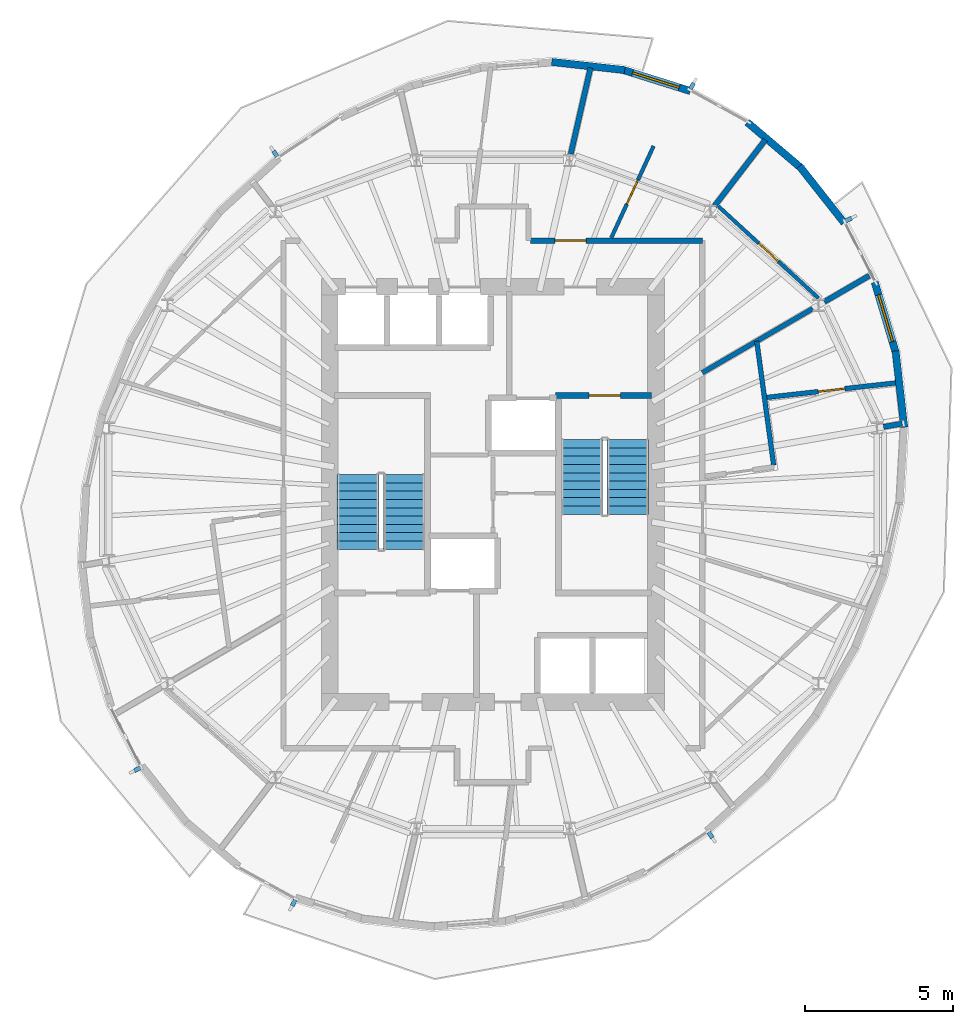
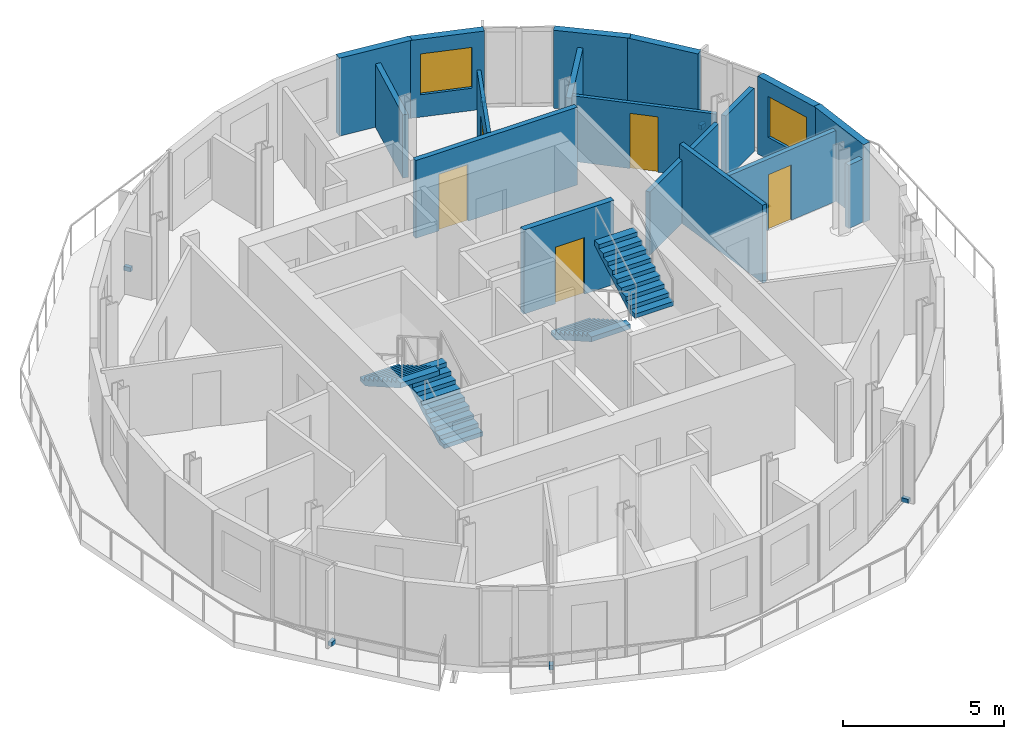
# One storey, part 7 of 11: 17 walls, 6 discrete accessories, 5 doors, 4 stair flights, 2 windows, 7 openings, 2 elements without a shape of their own.
"""IFC4 building model written with IfcOpenShell, lengths in metres."""

from ifc_helpers import new_model, si_unit, direction, frame, frame_2d, origin, origin_2d, place, context, subcontext, project, spatial, polyline, rectangle, outline, extrude, material, layer, layer_set, type_object, element, fill, aggregate, save


model = new_model("IFC4")

# Units and contexts
model_context = context("Model", 3, precision=1e-05, world=origin(), true_north=direction((0.0, 1.0)))
body_context = subcontext(model_context, "Body", "Model", "MODEL_VIEW")
ifc_project = project(units=[si_unit("LENGTHUNIT", "METRE"), si_unit("AREAUNIT", "SQUARE_METRE"), si_unit("VOLUMEUNIT", "CUBIC_METRE"), si_unit("PLANEANGLEUNIT", "RADIAN"), si_unit("MASSUNIT", "GRAM", prefix="KILO")], contexts=[model_context])

# Site, building, storey
site_placement = place(None, origin())
site = spatial("IfcSite", under=ifc_project, at=site_placement, CompositionType="ELEMENT")
building_placement = place(site_placement, origin())
building = spatial("IfcBuilding", under=site, at=building_placement, Name="Veldorim Arch Residences", CompositionType="ELEMENT")
storey_placement = place(building_placement, frame((0.0, 0.0, 220.639892578125)))
storey = spatial("IfcBuildingStorey", under=building, at=storey_placement, Name="L66", CompositionType="ELEMENT", Elevation=220.639892578125)

# Wall, opening, door
ifc_material_1 = material(Name="Acoustic Gypsum Board", Category="gypsum")
ifc_layer_1 = layer(ifc_material_1, 0.125, Name="Acoustic Stud Room Partition Wall 125")
ifc_layer_set_1 = layer_set([ifc_layer_1], Name="Acoustic Gypsum Board")
wall_type_1 = type_object("IfcWallType", Name="Acoustic Stud Room Partition Wall 125", PredefinedType="PARTITIONING", material=ifc_layer_set_1)
wall_1_placement = place(storey_placement, frame((37.417236328125, 35.74658203125, 0.0), z_axis=(0.0, 0.0, 1.0), x_axis=(-0.41880384085, -0.908076727424, 0.0)))
wall_1 = element("IfcWall", 1, at=wall_1_placement, inside=storey, type_object=wall_type_1, Name="L66 interior wall WL-RES-L66-027", PredefinedType="PARTITIONING", context=body_context, shape_type="SweptSolid", body=[
    extrude(rectangle(XDim=3.4091796875, YDim=0.125, at=frame_2d((1.70458984375, 0.0))), origin(), (0.0, 0.0, 1.0), 2.955078125),
])
opening_1_placement = place(wall_1_placement, frame((1.254638671875, 0.0, 0.0)))
opening_1 = element("IfcOpeningElement", 2, at=opening_1_placement, cuts=wall_1, Name="Opening DR-INT", PredefinedType="OPENING", context=body_context, shape_type="SweptSolid", body=[
    extrude(rectangle(XDim=0.89990234375, YDim=2.10009765625, at=frame_2d((0.449951171875, 1.050048828125))), frame((0.0, 0.072509765625, 0.0), z_axis=(0.0, -1.0, 0.0), x_axis=(1.0, 0.0, 0.0)), (0.0, 0.0, 1.0), 0.14501953125),
])
ifc_material_2 = material(Name="Engineered Timber", Category="wood")
door_type_1 = type_object("IfcDoorType", Name="Apartment Internal Room Timber Door 900x2100", OperationType="SINGLE_SWING_LEFT", PredefinedType="DOOR", material=ifc_material_2)
door_1_placement = place(opening_1_placement, origin())
door_1 = element("IfcDoor", 3, at=door_1_placement, inside=storey, type_object=door_type_1, Name="L66 interior door DR-RES-L66-012", OperationType="SINGLE_SWING_RIGHT", OverallHeight=2.10009765625, OverallWidth=0.89990234375, PredefinedType="DOOR", context=body_context, shape_type="SweptSolid", body=[
    extrude(rectangle(XDim=0.89990234375, YDim=2.10009765625, at=frame_2d((0.449951171875, 1.050048828125))), frame((0.0, 0.02490234375, 0.0), z_axis=(0.0, -1.0, 0.0), x_axis=(1.0, 0.0, 0.0)), (0.0, 0.0, 1.0), 0.050048828125),
])
fill(opening_1, door_1)

wall_2_placement = place(storey_placement, frame((39.606689453125, 33.7119140625, 0.0), z_axis=(0.0, 0.0, 1.0), x_axis=(0.736828890574, -0.676079274949, 0.0)))
wall_2 = element("IfcWall", 4, at=wall_2_placement, inside=storey, type_object=wall_type_1, Name="L66 interior wall WL-RES-L66-028", PredefinedType="PARTITIONING", context=body_context, shape_type="SweptSolid", body=[
    extrude(rectangle(XDim=4.58154296875, YDim=0.125, at=frame_2d((2.290771484375, 0.0))), origin(), (0.0, 0.0, 1.0), 2.488037109375),
])
opening_2_placement = place(wall_2_placement, frame((1.8408203125, 0.0, 0.0)))
opening_2 = element("IfcOpeningElement", 5, at=opening_2_placement, cuts=wall_2, Name="Opening DR-INT", PredefinedType="OPENING", context=body_context, shape_type="SweptSolid", body=[
    extrude(rectangle(XDim=0.89990234375, YDim=2.10009765625, at=frame_2d((0.449951171875, 1.050048828125))), frame((0.0, 0.072509765625, 0.0), z_axis=(0.0, -1.0, 0.0), x_axis=(1.0, 0.0, 0.0)), (0.0, 0.0, 1.0), 0.14501953125),
])
door_2_placement = place(opening_2_placement, origin())
door_2 = element("IfcDoor", 6, at=door_2_placement, inside=storey, type_object=door_type_1, Name="L66 interior door DR-RES-L66-013", OperationType="SINGLE_SWING_LEFT", OverallHeight=2.10009765625, OverallWidth=0.89990234375, PredefinedType="DOOR", context=body_context, shape_type="SweptSolid", body=[
    extrude(rectangle(XDim=0.89990234375, YDim=2.10009765625, at=frame_2d((0.449951171875, 1.050048828125))), frame((0.0, 0.02490234375, 0.0), z_axis=(0.0, -1.0, 0.0), x_axis=(1.0, 0.0, 0.0)), (0.0, 0.0, 1.0), 0.050048828125),
])
fill(opening_2, door_2)

# Walls
ifc_material_3 = material(Name="Lightweight Masonry Block & Gypsum", Category="masonry")
ifc_layer_2 = layer(ifc_material_3, 0.179931640625, Name="Compartment & Corridor Fire-Rated Party Wall 180")
ifc_layer_set_2 = layer_set([ifc_layer_2], Name="Lightweight Masonry Block & Gypsum")
wall_type_2 = type_object("IfcWallType", Name="Compartment & Corridor Fire-Rated Party Wall 180", PredefinedType="PARTITIONING", material=ifc_layer_set_2)
wall_3_placement = place(storey_placement, frame((45.172607421875, 26.27880859375, 0.0), z_axis=(0.0, 0.0, 1.0), x_axis=(0.985371537423, 0.170419873359, 0.0)))
element("IfcWall", 7, at=wall_3_placement, inside=storey, type_object=wall_type_2, Name="L66 interior wall WL-PIER-L66-01", PredefinedType="PARTITIONING", context=body_context, shape_type="SweptSolid", body=[
    extrude(rectangle(XDim=0.637451171875, YDim=0.179931640625, at=frame_2d((0.31884765625, 0.0))), origin(), (0.0, 0.0, 1.0), 2.403564453125),
])
wall_4_placement = place(storey_placement, frame((43.173828125, 30.4931640625, 0.0), z_axis=(0.0, 0.0, 1.0), x_axis=(0.864599922959, 0.502460917106, 0.0)))
element("IfcWall", 8, at=wall_4_placement, inside=storey, type_object=wall_type_2, Name="L66 interior wall WL-PIER-L66-02", PredefinedType="PARTITIONING", context=body_context, shape_type="SweptSolid", body=[
    extrude(rectangle(XDim=1.755615234375, YDim=0.179931640625, at=frame_2d((0.8779296875, 0.0))), origin(), (0.0, 0.0, 1.0), 2.403564453125),
])
wall_5_placement = place(storey_placement, frame((39.473388671875, 33.727294921875, 0.0), z_axis=(0.0, 0.0, 1.0), x_axis=(0.609232660573, 0.792991529142, 0.0)))
element("IfcWall", 9, at=wall_5_placement, inside=storey, type_object=wall_type_2, Name="L66 interior wall WL-PIER-L66-03", PredefinedType="PARTITIONING", context=body_context, shape_type="SweptSolid", body=[
    extrude(rectangle(XDim=2.81396484375, YDim=0.179931640625, at=frame_2d((1.406982421875, 0.0))), origin(), (0.0, 0.0, 1.0), 2.403564453125),
])
wall_6_placement = place(storey_placement, frame((34.62646484375, 35.483154296875, 0.0), z_axis=(0.0, 0.0, 1.0), x_axis=(0.22291168124, 0.974838644272, 0.0)))
element("IfcWall", 10, at=wall_6_placement, inside=storey, type_object=wall_type_2, Name="L66 interior wall WL-PIER-L66-04", PredefinedType="PARTITIONING", context=body_context, shape_type="SweptSolid", body=[
    extrude(rectangle(XDim=2.975830078125, YDim=0.179931640625, at=frame_2d((1.48779296875, 0.0))), origin(), (0.0, 0.0, 1.0), 2.403564453125),
])

# Wall, opening, door
wall_7_placement = place(storey_placement, frame((33.260009765625, 32.56005859375, 0.0), z_axis=(0.0, 0.0, 1.0), x_axis=(1.0, 0.0, 0.0)))
wall_7 = element("IfcWall", 11, at=wall_7_placement, inside=storey, type_object=wall_type_2, Name="L66 interior wall WL-RES-L66-011", PredefinedType="PARTITIONING", context=body_context, shape_type="SweptSolid", body=[
    extrude(rectangle(XDim=5.800048828125, YDim=0.179931640625, at=frame_2d((2.89990234375, 0.0))), origin(), (0.0, 0.0, 1.0), 2.955078125),
])
opening_3_placement = place(wall_7_placement, frame((0.829833984375, 0.0, 0.0)))
opening_3 = element("IfcOpeningElement", 12, at=opening_3_placement, cuts=wall_7, Name="Opening DR-FLT", PredefinedType="OPENING", context=body_context, shape_type="SweptSolid", body=[
    extrude(rectangle(XDim=1.050048828125, YDim=2.14990234375, at=frame_2d((0.52490234375, 1.074951171875))), frame((0.0, 0.099853515625, 0.0), z_axis=(0.0, -1.0, 0.0), x_axis=(1.0, 0.0, 0.0)), (0.0, 0.0, 1.0), 0.199951171875),
])
ifc_material_4 = material(Name="Fire-Rated Timber", Category="wood")
door_type_2 = type_object("IfcDoorType", Name="Apartment Entrance Solid-Core Fire Door 1050x2150", OperationType="SINGLE_SWING_LEFT", PredefinedType="DOOR", material=ifc_material_4)
door_3_placement = place(opening_3_placement, origin())
door_3 = element("IfcDoor", 13, at=door_3_placement, inside=storey, type_object=door_type_2, Name="L66 interior door DR-RES-L66-010", OperationType="SINGLE_SWING_RIGHT", OverallHeight=2.14990234375, OverallWidth=1.050048828125, PredefinedType="DOOR", context=body_context, shape_type="SweptSolid", body=[
    extrude(rectangle(XDim=1.050048828125, YDim=2.14990234375, at=frame_2d((0.52490234375, 1.074951171875))), frame((0.0, 0.02490234375, 0.0), z_axis=(0.0, -1.0, 0.0), x_axis=(1.0, 0.0, 0.0)), (0.0, 0.0, 1.0), 0.050048828125),
])
fill(opening_3, door_3)

ifc_material_5 = material(Name="Concrete C50/60", Category="concrete")
ifc_layer_3 = layer(ifc_material_5, 0.199951171875, Name="Core Stair & Lift Shaft Enclosure Wall 200")
ifc_layer_set_3 = layer_set([ifc_layer_3], Name="Concrete C50/60")
wall_type_3 = type_object("IfcWallType", Name="Core Stair & Lift Shaft Enclosure Wall 200", PredefinedType="SHEAR", material=ifc_layer_set_3)
wall_8_placement = place(storey_placement, frame((34.110107421875, 27.330078125, 0.0), z_axis=(0.0, 0.0, 1.0), x_axis=(1.0, 0.0, 0.0)))
wall_8 = element("IfcWall", 14, at=wall_8_placement, inside=storey, type_object=wall_type_3, Name="L66 shaft wall WL-SHF-L66-ST2-N", PredefinedType="SHEAR", context=body_context, shape_type="SweptSolid", body=[
    extrude(rectangle(XDim=3.239990234375, YDim=0.199951171875, at=frame_2d((1.6201171875, 0.0))), origin(), (0.0, 0.0, 1.0), 3.2001953125),
])
opening_4_placement = place(wall_8_placement, frame((1.135009765625, 0.0, 0.0)))
opening_4 = element("IfcOpeningElement", 15, at=opening_4_placement, cuts=wall_8, Name="Opening DR-ST", PredefinedType="OPENING", context=body_context, shape_type="SweptSolid", body=[
    extrude(rectangle(XDim=1.050048828125, YDim=2.14990234375, at=frame_2d((0.52490234375, 1.074951171875))), frame((0.0, 0.10986328125, 0.0), z_axis=(0.0, -1.0, 0.0), x_axis=(1.0, 0.0, 0.0)), (0.0, 0.0, 1.0), 0.219970703125),
])
ifc_material_6 = material(Name="Fire-Rated Steel", Category="steel")
door_type_3 = type_object("IfcDoorType", Name="Exit Staircase Self-Closing Fire Door 1050x2150", OperationType="SINGLE_SWING_LEFT", PredefinedType="DOOR", material=ifc_material_6)
door_4_placement = place(opening_4_placement, origin())
door_4 = element("IfcDoor", 16, at=door_4_placement, inside=storey, type_object=door_type_3, Name="L66 interior door DR-L66-ST2", OperationType="SINGLE_SWING_RIGHT", OverallHeight=2.14990234375, OverallWidth=1.050048828125, PredefinedType="DOOR", context=body_context, shape_type="SweptSolid", body=[
    extrude(rectangle(XDim=1.050048828125, YDim=2.14990234375, at=frame_2d((0.52490234375, 1.074951171875))), frame((0.0, 0.02490234375, 0.0), z_axis=(0.0, -1.0, 0.0), x_axis=(1.0, 0.0, 0.0)), (0.0, 0.0, 1.0), 0.050048828125),
])
fill(opening_4, door_4)

# Wall, opening, window
ifc_material_7 = material(Name="Precast concrete C40/50", Category="concrete")
ifc_layer_4 = layer(ifc_material_7, 0.25, Name="Tower Terracotta Spandrel & Pier Wall 250")
ifc_layer_set_4 = layer_set([ifc_layer_4], Name="Precast concrete C40/50")
wall_type_4 = type_object("IfcWallType", Name="Tower Terracotta Spandrel & Pier Wall 250", PredefinedType="SOLIDWALL", material=ifc_layer_set_4)
wall_9_placement = place(storey_placement, frame((36.334228515625, 38.334228515625, 0.0), z_axis=(0.0, 0.0, 1.0), x_axis=(0.95407801166, -0.299558254212, 0.0)))
wall_9 = element("IfcWall", 17, at=wall_9_placement, inside=storey, type_object=wall_type_4, Name="L66 terracotta facade wall 02", PredefinedType="SOLIDWALL", context=body_context, shape_type="SweptSolid", body=[
    extrude(rectangle(XDim=2.436767578125, YDim=0.25, at=frame_2d((1.21826171875, 0.0))), origin(), (0.0, 0.0, 1.0), 2.960205078125),
])
opening_5_placement = place(wall_9_placement, frame((0.39306640625, 0.0, 0.85009765625)))
opening_5 = element("IfcOpeningElement", 18, at=opening_5_placement, cuts=wall_9, Name="Opening WN-03", PredefinedType="OPENING", context=body_context, shape_type="SweptSolid", body=[
    extrude(rectangle(XDim=1.64990234375, YDim=1.550048828125, at=frame_2d((0.824951171875, 0.77490234375))), frame((0.0, 0.135009765625, 0.0), z_axis=(0.0, -1.0, 0.0), x_axis=(1.0, 0.0, 0.0)), (0.0, 0.0, 1.0), 0.27001953125),
])
ifc_material_8 = material(Name="Laminated Low-E Glass", Category="glass")
window_type = type_object("IfcWindowType", Name="Residential Wide Window 1650x1550", PartitioningType="SINGLE_PANEL", PredefinedType="WINDOW", material=ifc_material_8)
window_1_placement = place(opening_5_placement, origin())
window_1 = element("IfcWindow", 19, at=window_1_placement, inside=storey, type_object=window_type, Name="L66 solar-control facade window 02", OverallHeight=1.550048828125, OverallWidth=1.64990234375, PartitioningType="SINGLE_PANEL", PredefinedType="WINDOW", context=body_context, shape_type="SweptSolid", body=[
    extrude(rectangle(XDim=1.64990234375, YDim=1.550048828125, at=frame_2d((0.824951171875, 0.77490234375))), frame((0.0, 0.030029296875, 0.0), z_axis=(0.0, -1.0, 0.0), x_axis=(1.0, 0.0, 0.0)), (0.0, 0.0, 1.0), 0.06005859375),
])
fill(opening_5, window_1)

# Walls
wall_10_placement = place(storey_placement, frame((33.98291015625, 38.5849609375, 0.0), z_axis=(0.0, 0.0, 1.0), x_axis=(0.993859679734, -0.110647806121, 0.0)))
element("IfcWall", 20, at=wall_10_placement, inside=storey, type_object=wall_type_4, Name="L66 terracotta facade wall 03", PredefinedType="SOLIDWALL", context=body_context, shape_type="SweptSolid", body=[
    extrude(rectangle(XDim=2.477783203125, YDim=0.25, at=frame_2d((1.23876953125, 0.0))), origin(), (0.0, 0.0, 1.0), 2.960205078125),
])
wall_11_placement = place(storey_placement, frame((45.5791015625, 28.838623046875, 0.0), z_axis=(0.0, 0.0, 1.0), x_axis=(0.112260931198, -0.993678762642, 0.0)))
element("IfcWall", 21, at=wall_11_placement, inside=storey, type_object=wall_type_4, Name="L66 terracotta facade wall 32", PredefinedType="SOLIDWALL", context=body_context, shape_type="SweptSolid", body=[
    extrude(rectangle(XDim=2.59228515625, YDim=0.25, at=frame_2d((1.296142578125, 0.0))), origin(), (0.0, 0.0, 1.0), 2.960205078125),
])

# Wall, opening, window
wall_12_placement = place(storey_placement, frame((44.87841796875, 31.155517578125, 0.0), z_axis=(0.0, 0.0, 1.0), x_axis=(0.285604720301, -0.958347506775, 0.0)))
wall_12 = element("IfcWall", 22, at=wall_12_placement, inside=storey, type_object=wall_type_4, Name="L66 terracotta facade wall 33", PredefinedType="SOLIDWALL", context=body_context, shape_type="SweptSolid", body=[
    extrude(rectangle(XDim=2.531982421875, YDim=0.25, at=frame_2d((1.26611328125, 0.0))), origin(), (0.0, 0.0, 1.0), 2.960205078125),
])
opening_6_placement = place(wall_12_placement, frame((0.44091796875, 0.0, 0.85009765625)))
opening_6 = element("IfcOpeningElement", 23, at=opening_6_placement, cuts=wall_12, Name="Opening WN-03", PredefinedType="OPENING", context=body_context, shape_type="SweptSolid", body=[
    extrude(rectangle(XDim=1.64990234375, YDim=1.550048828125, at=frame_2d((0.824951171875, 0.77490234375))), frame((0.0, 0.135009765625, 0.0), z_axis=(0.0, -1.0, 0.0), x_axis=(1.0, 0.0, 0.0)), (0.0, 0.0, 1.0), 0.27001953125),
])
window_2_placement = place(opening_6_placement, origin())
window_2 = element("IfcWindow", 24, at=window_2_placement, inside=storey, type_object=window_type, Name="L66 solar-control facade window 33", OverallHeight=1.550048828125, OverallWidth=1.64990234375, PartitioningType="SINGLE_PANEL", PredefinedType="WINDOW", context=body_context, shape_type="SweptSolid", body=[
    extrude(rectangle(XDim=1.64990234375, YDim=1.550048828125, at=frame_2d((0.824951171875, 0.77490234375))), frame((0.0, 0.030029296875, 0.0), z_axis=(0.0, -1.0, 0.0), x_axis=(1.0, 0.0, 0.0)), (0.0, 0.0, 1.0), 0.06005859375),
])
fill(opening_6, window_2)

# Walls
wall_13_placement = place(storey_placement, frame((42.33740234375, 35.070556640625, 0.0), z_axis=(0.0, 0.0, 1.0), x_axis=(0.619881401672, -0.784695512833, 0.0)))
element("IfcWall", 25, at=wall_13_placement, inside=storey, type_object=wall_type_4, Name="L66 terracotta facade wall 35", PredefinedType="SOLIDWALL", context=body_context, shape_type="SweptSolid", body=[
    extrude(rectangle(XDim=2.436767578125, YDim=0.25, at=frame_2d((1.21826171875, 0.0))), origin(), (0.0, 0.0, 1.0), 2.960205078125),
])
wall_14_placement = place(storey_placement, frame((40.575439453125, 36.55029296875, 0.0), z_axis=(0.0, 0.0, 1.0), x_axis=(0.762614923672, -0.646852748462, 0.0)))
element("IfcWall", 26, at=wall_14_placement, inside=storey, type_object=wall_type_4, Name="L66 terracotta facade wall 36", PredefinedType="SOLIDWALL", context=body_context, shape_type="SweptSolid", body=[
    extrude(rectangle(XDim=2.414794921875, YDim=0.25, at=frame_2d((1.20751953125, 0.0))), origin(), (0.0, 0.0, 1.0), 2.960205078125),
])

# Wall, opening, door
ifc_material_9 = material(Name="Moisture-Resistant Gypsum & Stud", Category="gypsum")
ifc_layer_5 = layer(ifc_material_9, 0.159912109375, Name="Wet-Area Moisture-Resistant Plumbing Wall 160")
ifc_layer_set_5 = layer_set([ifc_layer_5], Name="Moisture-Resistant Gypsum & Stud")
wall_type_5 = type_object("IfcWallType", Name="Wet-Area Moisture-Resistant Plumbing Wall 160", PredefinedType="PLUMBINGWALL", material=ifc_layer_set_5)
wall_15_placement = place(storey_placement, frame((41.15625, 27.262451171875, 0.0), z_axis=(0.0, 0.0, 1.0), x_axis=(0.993735184374, 0.111760383578, 0.0)))
wall_15 = element("IfcWall", 27, at=wall_15_placement, inside=storey, type_object=wall_type_5, Name="L66 interior wall WL-RES-L66-020", PredefinedType="PLUMBINGWALL", context=body_context, shape_type="SweptSolid", body=[
    extrude(rectangle(XDim=4.556884765625, YDim=0.159912109375, at=frame_2d((2.2783203125, 0.0))), origin(), (0.0, 0.0, 1.0), 2.692138671875),
])
opening_7_placement = place(wall_15_placement, frame((1.82861328125, 0.0, 0.0)))
opening_7 = element("IfcOpeningElement", 28, at=opening_7_placement, cuts=wall_15, Name="Opening DR-WC", PredefinedType="OPENING", context=body_context, shape_type="SweptSolid", body=[
    extrude(rectangle(XDim=0.89990234375, YDim=2.10009765625, at=frame_2d((0.449951171875, 1.050048828125))), frame((0.0, 0.08984375, 0.0), z_axis=(0.0, -1.0, 0.0), x_axis=(1.0, 0.0, 0.0)), (0.0, 0.0, 1.0), 0.179931640625),
])
ifc_material_10 = material(Name="Laminate Timber", Category="wood")
door_type_4 = type_object("IfcDoorType", Name="Bathroom & Accessible WC Moisture-Sealed Door 900x2100", OperationType="SINGLE_SWING_LEFT", PredefinedType="DOOR", material=ifc_material_10)
door_5_placement = place(opening_7_placement, origin())
door_5 = element("IfcDoor", 29, at=door_5_placement, inside=storey, type_object=door_type_4, Name="L66 interior door DR-RES-L66-006", OperationType="SINGLE_SWING_RIGHT", OverallHeight=2.10009765625, OverallWidth=0.89990234375, PredefinedType="DOOR", context=body_context, shape_type="SweptSolid", body=[
    extrude(rectangle(XDim=0.89990234375, YDim=2.10009765625, at=frame_2d((0.449951171875, 1.050048828125))), frame((0.0, 0.02490234375, 0.0), z_axis=(0.0, -1.0, 0.0), x_axis=(1.0, 0.0, 0.0)), (0.0, 0.0, 1.0), 0.050048828125),
])
fill(opening_7, door_5)

# Walls
wall_16_placement = place(storey_placement, frame((41.467041015625, 24.9853515625, 0.0), z_axis=(0.0, 0.0, 1.0), x_axis=(-0.135218975067, 0.990815739066, 0.0)))
element("IfcWall", 30, at=wall_16_placement, inside=storey, type_object=wall_type_5, Name="L66 interior wall WL-RES-L66-023", PredefinedType="PLUMBINGWALL", context=body_context, shape_type="SweptSolid", body=[
    extrude(rectangle(XDim=4.22314453125, YDim=0.159912109375, at=frame_2d((2.111572265625, 0.0))), origin(), (0.0, 0.0, 1.0), 2.955078125),
])
wall_17_placement = place(storey_placement, frame((39.06005859375, 28.1025390625, 0.0), z_axis=(0.0, 0.0, 1.0), x_axis=(0.864618907014, 0.502428249239, 0.0)))
element("IfcWall", 31, at=wall_17_placement, inside=storey, type_object=wall_type_5, Name="L66 interior wall WL-RES-L66-024", PredefinedType="PLUMBINGWALL", context=body_context, shape_type="SweptSolid", body=[
    extrude(rectangle(XDim=4.30517578125, YDim=0.159912109375, at=frame_2d((2.152587890625, 0.0))), origin(), (0.0, 0.0, 1.0), 2.403564453125),
])

# Stair, stair flights
ifc_material_11 = material(Name="Concrete C40/50", Category="concrete")
stair_type = type_object("IfcStairType", Name="Reinforced Concrete Dogleg Exit Staircase", PredefinedType="HALF_TURN_STAIR", material=ifc_material_11)
stair_1_placement = place(storey_placement, origin())
stair_1 = element("IfcStair", 32, at=stair_1_placement, inside=storey, type_object=stair_type, Name="L66 Exit Staircase ST-1", PredefinedType="HALF_TURN_STAIR")
ifc_material_12 = material(Name="Concrete C40/50", Category="concrete")
stair_flight_type = type_object("IfcStairFlightType", Name="Reinforced Concrete Stair Flight 1400", PredefinedType="STRAIGHT", material=ifc_material_12)
stair_flight_1_placement = place(storey_placement, frame((29.010009765625, 22.14990234375, 0.0), z_axis=(0.0, 0.0, 1.0), x_axis=(0.0, 1.0, 0.0)))
stair_flight_1 = element("IfcStairFlight", 33, at=stair_flight_1_placement, type_object=stair_flight_type, Name="ST-1 flight 1", NumberOfRisers=10, NumberOfTreads=9, PredefinedType="STRAIGHT", RiserHeight=0.16, TreadLength=0.28, context=body_context, shape_type="SweptSolid", body=[
    extrude(outline(polyline([(0.0, 0.0), (0.0, 0.159912109375), (0.280029296875, 0.159912109375), (0.280029296875, 0.320068359375), (0.56005859375, 0.320068359375), (0.56005859375, 0.47998046875), (0.840087890625, 0.47998046875), (0.840087890625, 0.639892578125), (1.1201171875, 0.639892578125), (1.1201171875, 0.800048828125), (1.39990234375, 0.800048828125), (1.39990234375, 0.9599609375), (1.679931640625, 0.9599609375), (1.679931640625, 1.1201171875), (1.9599609375, 1.1201171875), (1.9599609375, 1.280029296875), (2.239990234375, 1.280029296875), (2.239990234375, 1.43994140625), (2.52001953125, 1.43994140625), (2.52001953125, 1.60009765625), (2.52001953125, 1.255859375), (0.322265625, 0.0), (0.0, 0.0)])), frame((0.0, 0.699951171875, 0.0), z_axis=(0.0, -1.0, 0.0), x_axis=(1.0, 0.0, 0.0)), (0.0, 0.0, 1.0), 1.39990234375),
])
stair_flight_2_placement = place(storey_placement, frame((27.449951171875, 24.669921875, 1.60009765625), z_axis=(0.0, 0.0, 1.0), x_axis=(0.0, -1.0, 0.0)))
stair_flight_2 = element("IfcStairFlight", 34, at=stair_flight_2_placement, type_object=stair_flight_type, Name="ST-1 flight 2", NumberOfRisers=10, NumberOfTreads=9, PredefinedType="STRAIGHT", RiserHeight=0.16, TreadLength=0.28, context=body_context, shape_type="SweptSolid", body=[
    extrude(outline(polyline([(0.0, 0.0), (0.0, 0.159912109375), (0.280029296875, 0.159912109375), (0.280029296875, 0.320068359375), (0.56005859375, 0.320068359375), (0.56005859375, 0.47998046875), (0.840087890625, 0.47998046875), (0.840087890625, 0.639892578125), (1.1201171875, 0.639892578125), (1.1201171875, 0.800048828125), (1.39990234375, 0.800048828125), (1.39990234375, 0.9599609375), (1.679931640625, 0.9599609375), (1.679931640625, 1.1201171875), (1.9599609375, 1.1201171875), (1.9599609375, 1.280029296875), (2.239990234375, 1.280029296875), (2.239990234375, 1.43994140625), (2.52001953125, 1.43994140625), (2.52001953125, 1.60009765625), (2.52001953125, 1.255859375), (0.322265625, 0.0), (0.0, 0.0)])), frame((0.0, 0.699951171875, 0.0), z_axis=(0.0, -1.0, 0.0), x_axis=(1.0, 0.0, 0.0)), (0.0, 0.0, 1.0), 1.39990234375),
])
aggregate(stair_1, [stair_flight_1, stair_flight_2])

stair_2_placement = place(storey_placement, origin())
stair_2 = element("IfcStair", 35, at=stair_2_placement, inside=storey, type_object=stair_type, Name="L66 Exit Staircase ST-2", PredefinedType="HALF_TURN_STAIR")
stair_flight_3_placement = place(storey_placement, frame((34.989990234375, 25.85009765625, 0.0), z_axis=(0.0, 0.0, 1.0), x_axis=(0.0, -1.0, 0.0)))
stair_flight_3 = element("IfcStairFlight", 36, at=stair_flight_3_placement, type_object=stair_flight_type, Name="ST-2 flight 1", NumberOfRisers=10, NumberOfTreads=9, PredefinedType="STRAIGHT", RiserHeight=0.16, TreadLength=0.28, context=body_context, shape_type="SweptSolid", body=[
    extrude(outline(polyline([(0.0, 0.0), (0.0, 0.159912109375), (0.280029296875, 0.159912109375), (0.280029296875, 0.320068359375), (0.56005859375, 0.320068359375), (0.56005859375, 0.47998046875), (0.840087890625, 0.47998046875), (0.840087890625, 0.639892578125), (1.1201171875, 0.639892578125), (1.1201171875, 0.800048828125), (1.39990234375, 0.800048828125), (1.39990234375, 0.9599609375), (1.679931640625, 0.9599609375), (1.679931640625, 1.1201171875), (1.9599609375, 1.1201171875), (1.9599609375, 1.280029296875), (2.239990234375, 1.280029296875), (2.239990234375, 1.43994140625), (2.52001953125, 1.43994140625), (2.52001953125, 1.60009765625), (2.52001953125, 1.255859375), (0.322265625, 0.0), (0.0, 0.0)])), frame((0.0, 0.699951171875, 0.0), z_axis=(0.0, -1.0, 0.0), x_axis=(1.0, 0.0, 0.0)), (0.0, 0.0, 1.0), 1.39990234375),
])
stair_flight_4_placement = place(storey_placement, frame((36.550048828125, 23.330078125, 1.60009765625), z_axis=(0.0, 0.0, 1.0), x_axis=(0.0, 1.0, 0.0)))
stair_flight_4 = element("IfcStairFlight", 37, at=stair_flight_4_placement, type_object=stair_flight_type, Name="ST-2 flight 2", NumberOfRisers=10, NumberOfTreads=9, PredefinedType="STRAIGHT", RiserHeight=0.16, TreadLength=0.28, context=body_context, shape_type="SweptSolid", body=[
    extrude(outline(polyline([(0.0, 0.0), (0.0, 0.159912109375), (0.280029296875, 0.159912109375), (0.280029296875, 0.320068359375), (0.56005859375, 0.320068359375), (0.56005859375, 0.47998046875), (0.840087890625, 0.47998046875), (0.840087890625, 0.639892578125), (1.1201171875, 0.639892578125), (1.1201171875, 0.800048828125), (1.39990234375, 0.800048828125), (1.39990234375, 0.9599609375), (1.679931640625, 0.9599609375), (1.679931640625, 1.1201171875), (1.9599609375, 1.1201171875), (1.9599609375, 1.280029296875), (2.239990234375, 1.280029296875), (2.239990234375, 1.43994140625), (2.52001953125, 1.43994140625), (2.52001953125, 1.60009765625), (2.52001953125, 1.255859375), (0.322265625, 0.0), (0.0, 0.0)])), frame((0.0, 0.699951171875, 0.0), z_axis=(0.0, -1.0, 0.0), x_axis=(1.0, 0.0, 0.0)), (0.0, 0.0, 1.0), 1.39990234375),
])
aggregate(stair_2, [stair_flight_3, stair_flight_4])

# Discrete accessories
ifc_material_13 = material(Name="Stainless Steel", Category="steel")
discrete_accessory_type = type_object("IfcDiscreteAccessoryType", Name="Stainless Steel Facade Fin Anchor Bracket", PredefinedType="BRACKET", material=ifc_material_13)
for number, where, z_axis, x_axis, name in (
    (38, (38.714111328125, 37.769287109375, -0.02001953125), (0.0, 0.0, 1.0), (0.876222584819, -0.481906611132, 0.0), "L66 stainless fin anchor bracket 01"),
    (39, (24.6640625, 35.48388671875, -0.02001953125), (0.0, 0.0, 1.0), (0.835135979853, 0.550043539327, 0.0), "L66 stainless fin anchor bracket 07"),
    (40, (20.013427734375, 14.735595703125, -0.02001953125), (0.0, 0.0, 1.0), (-0.457718745382, 0.889097042019, 0.0), "L66 stainless fin anchor bracket 16"),
    (41, (25.285888671875, 10.230712890625, -0.02001953125), (0.0, 0.0, 1.0), (-0.876222584819, 0.481906611132, 0.0), "L66 stainless fin anchor bracket 19"),
    (42, (39.3359375, 12.51611328125, -0.02001953125), (0.0, 0.0, 1.0), (-0.835135979853, -0.550043539327, 0.0), "L66 stainless fin anchor bracket 25"),
    (43, (43.986572265625, 33.264404296875, -0.02001953125), (0.0, 0.0, 1.0), (0.457718745382, -0.889097042019, 0.0), "L66 stainless fin anchor bracket 34"),
):
    element("IfcDiscreteAccessory", number, at=place(storey_placement, frame(where, z_axis=z_axis, x_axis=x_axis)), inside=storey, type_object=discrete_accessory_type, Name=name, PredefinedType="BRACKET", context=body_context, shape_type="SweptSolid", body=[
        extrude(rectangle(XDim=0.139892578125, YDim=0.239990234375, at=origin_2d()), origin(), (0.0, 0.0, 1.0), 0.159912109375),
    ])

save(model, "model.ifc")
